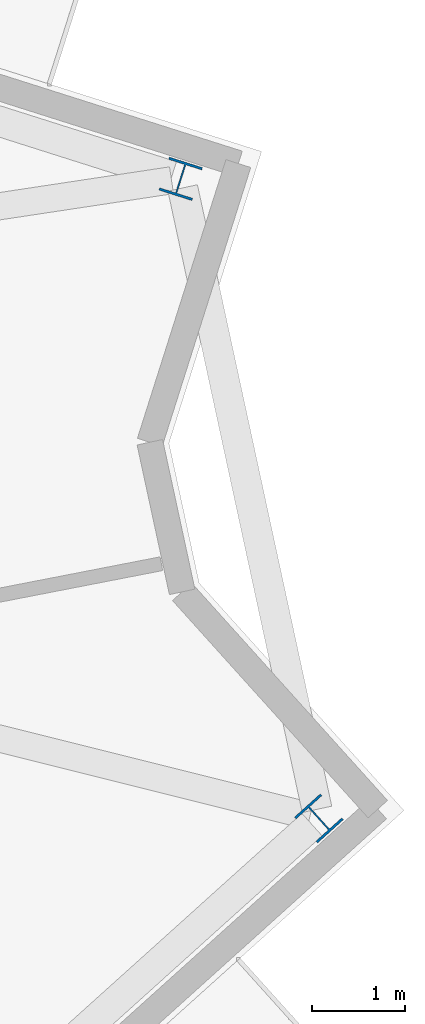
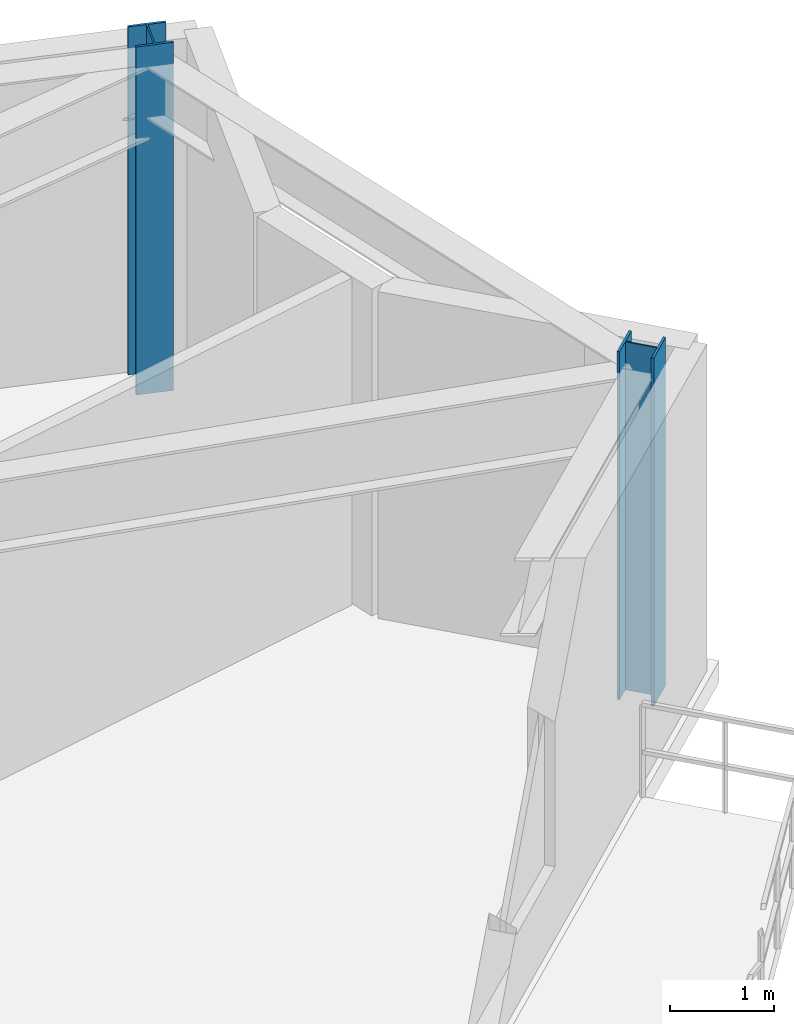
# One storey, part 3 of 12: 2 columns.
"""IFC4 building model written with IfcOpenShell, lengths in metres."""

from ifc_helpers import new_model, si_unit, direction, frame, origin, origin_2d, place, context, subcontext, project, spatial, i_section, extrude, material, material_profile, profile_set, type_object, element, save


model = new_model("IFC4")

# Units and contexts
model_context = context("Model", 3, precision=1e-05, world=origin(), true_north=direction((0.0, 1.0)))
body_context = subcontext(model_context, "Body", "Model", "MODEL_VIEW")
ifc_project = project(units=[si_unit("LENGTHUNIT", "METRE"), si_unit("AREAUNIT", "SQUARE_METRE"), si_unit("VOLUMEUNIT", "CUBIC_METRE"), si_unit("PLANEANGLEUNIT", "RADIAN"), si_unit("MASSUNIT", "GRAM", prefix="KILO")], contexts=[model_context])

# Site, building, storey
site_placement = place(None, origin())
site = spatial("IfcSite", under=ifc_project, at=site_placement, CompositionType="ELEMENT")
building_placement = place(site_placement, origin())
building = spatial("IfcBuilding", under=site, at=building_placement, Name="Apsidion Concourse Tower", CompositionType="ELEMENT")
storey_placement = place(building_placement, frame((0.0, 0.0, 248.60009765625)))
storey = spatial("IfcBuildingStorey", under=building, at=storey_placement, Name="L58", CompositionType="ELEMENT", Elevation=248.60009765625)

# Columns
ifc_material = material(Name="Structural steel ASTM A992 Grade 50", Category="steel")
ifc_material_profile = material_profile(ifc_material, i_section(OverallWidth=0.373046875, OverallDepth=0.373046875, WebThickness=0.016357421875, FlangeThickness=0.026123046875, at=origin_2d()), Name="W14X132")
ifc_profile_set = profile_set([ifc_material_profile], Name="Structural steel ASTM A992 Grade 50")
column_type = type_object("IfcColumnType", Name="COL-W14-132", PredefinedType="COLUMN", material=ifc_profile_set)
for number, where, z_axis, x_axis, name in (
    (1, (30.300537109375, 2.81591796875, 0.0), (0.0, 0.0, 1.0), (0.743144825477, 0.669130606359, 0.0), "L58 Rotated Perimeter Column PC08"),
    (2, (28.811279296875, 9.705810546875, 0.0), (0.0, 0.0, 1.0), (-0.953137879774, 0.3025362493, 0.0), "L58 Rotated Perimeter Column PC09"),
):
    element("IfcColumn", number, at=place(storey_placement, frame(where, z_axis=z_axis, x_axis=x_axis)), inside=storey, type_object=column_type, Name=name, PredefinedType="COLUMN", context=body_context, shape_type="SweptSolid", body=[
        extrude(i_section(OverallWidth=0.373046875, OverallDepth=0.373046875, WebThickness=0.016357421875, FlangeThickness=0.026123046875, at=origin_2d()), origin(), (0.0, 0.0, 1.0), 4.099853515625),
    ])

save(model, "model.ifc")
